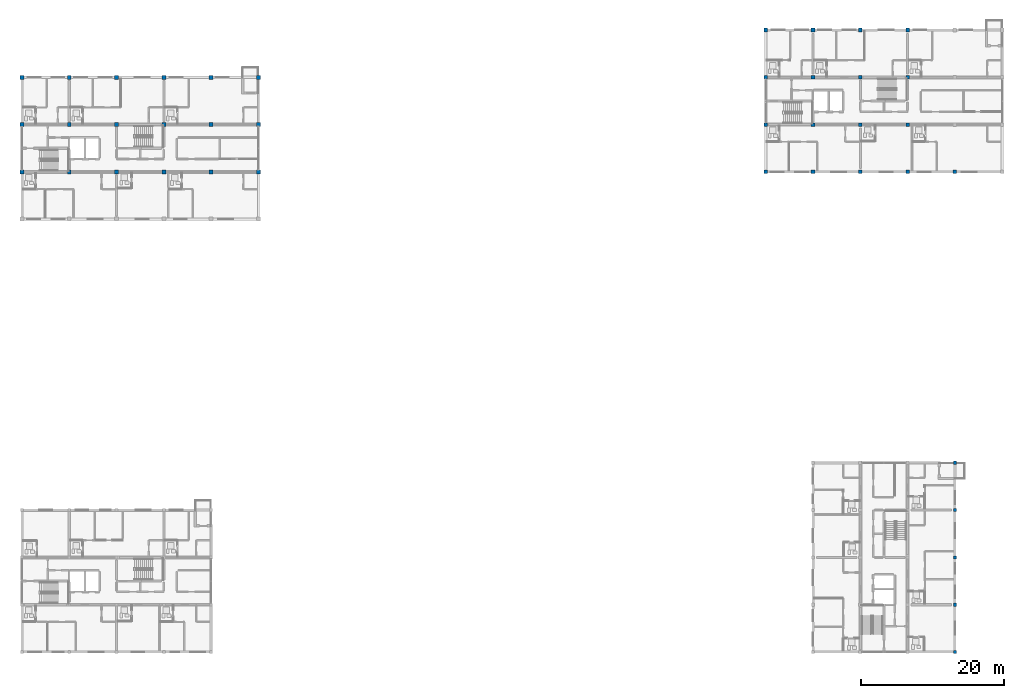
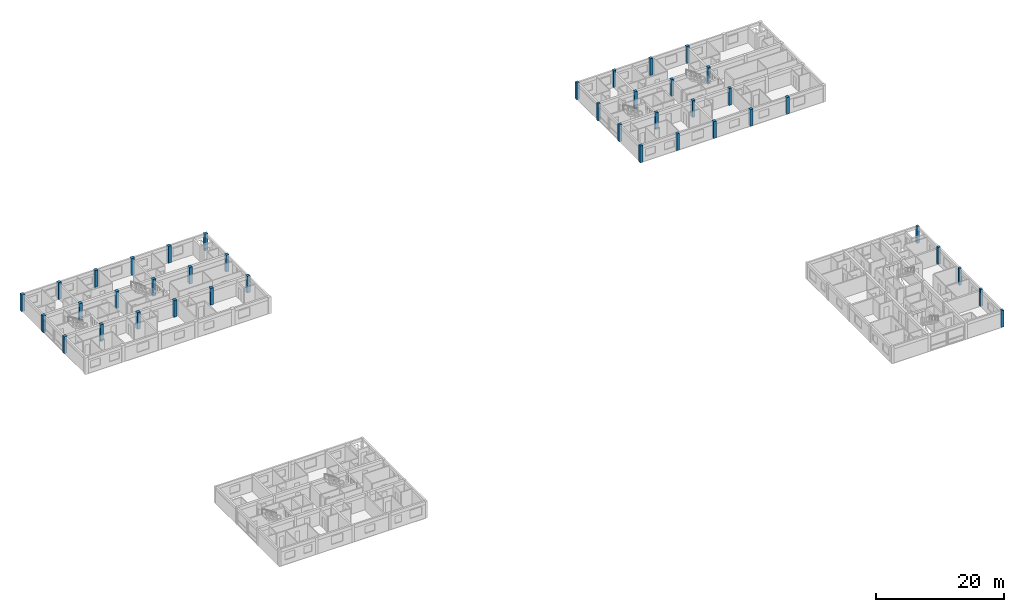
# One storey, part 2 of 45: 40 columns.
"""IFC4 building model written with IfcOpenShell, lengths in metres."""

from ifc_helpers import new_model, si_unit, direction, frame, origin, origin_2d, place, context, subcontext, project, spatial, rectangle, extrude, material, material_profile, profile_set, type_object, element, save


model = new_model("IFC4")

# Units and contexts
model_context = context("Model", 3, precision=1e-05, world=origin(), true_north=direction((0.0, 1.0)))
body_context = subcontext(model_context, "Body", "Model", "MODEL_VIEW")
ifc_project = project(units=[si_unit("LENGTHUNIT", "METRE"), si_unit("AREAUNIT", "SQUARE_METRE"), si_unit("VOLUMEUNIT", "CUBIC_METRE"), si_unit("PLANEANGLEUNIT", "RADIAN"), si_unit("MASSUNIT", "GRAM", prefix="KILO")], contexts=[model_context])

# Site, building, storey
site_placement = place(None, origin())
site = spatial("IfcSite", under=ifc_project, at=site_placement, CompositionType="ELEMENT")
building_placement = place(site_placement, origin())
building = spatial("IfcBuilding", under=site, at=building_placement, Name="Kernevlak Ridge Housing Community", CompositionType="ELEMENT")
storey_placement = place(building_placement, frame((0.0, 0.0, 21.199951171875)))
storey = spatial("IfcBuildingStorey", under=building, at=storey_placement, Name="L06", CompositionType="ELEMENT", Elevation=21.199951171875)

# Columns
ifc_material_1 = material(Name="Concrete C40/50", Category="concrete")
ifc_material_profile_1 = material_profile(ifc_material_1, rectangle(XDim=0.550048828125, YDim=0.550048828125, at=origin_2d()), Name="RC 550x550")
ifc_profile_set_1 = profile_set([ifc_material_profile_1], Name="Concrete C40/50")
column_type_1 = type_object("IfcColumnType", Name="C-02", PredefinedType="COLUMN", material=ifc_profile_set_1)
for number, where, z_axis, x_axis, name in (
    (1, (15.60009765625, 82.60009765625, 0.0), (0.0, 0.0, 1.0), (1.0, 0.0, 0.0), "Column C-02 COL-A-L06-00-1"),
    (2, (15.60009765625, 89.199951171875, 0.0), (0.0, 0.0, 1.0), (1.0, 0.0, 0.0), "Column C-02 COL-A-L06-00-2"),
    (3, (15.60009765625, 95.800048828125, 0.0), (0.0, 0.0, 1.0), (1.0, 0.0, 0.0), "Column C-02 COL-A-L06-00-3"),
    (4, (22.199951171875, 82.60009765625, 0.0), (0.0, 0.0, 1.0), (1.0, 0.0, 0.0), "Column C-02 COL-A-L06-01-1"),
    (5, (22.199951171875, 89.199951171875, 0.0), (0.0, 0.0, 1.0), (1.0, 0.0, 0.0), "Column C-02 COL-A-L06-01-2"),
    (6, (22.199951171875, 95.800048828125, 0.0), (0.0, 0.0, 1.0), (1.0, 0.0, 0.0), "Column C-02 COL-A-L06-01-3"),
    (7, (28.800048828125, 82.60009765625, 0.0), (0.0, 0.0, 1.0), (1.0, 0.0, 0.0), "Column C-02 COL-A-L06-02-1"),
    (8, (28.800048828125, 89.199951171875, 0.0), (0.0, 0.0, 1.0), (1.0, 0.0, 0.0), "Column C-02 COL-A-L06-02-2"),
    (9, (28.800048828125, 95.800048828125, 0.0), (0.0, 0.0, 1.0), (1.0, 0.0, 0.0), "Column C-02 COL-A-L06-02-3"),
    (10, (35.39990234375, 82.60009765625, 0.0), (0.0, 0.0, 1.0), (1.0, 0.0, 0.0), "Column C-02 COL-A-L06-03-1"),
    (11, (35.39990234375, 89.199951171875, 0.0), (0.0, 0.0, 1.0), (1.0, 0.0, 0.0), "Column C-02 COL-A-L06-03-2"),
    (12, (35.39990234375, 95.800048828125, 0.0), (0.0, 0.0, 1.0), (1.0, 0.0, 0.0), "Column C-02 COL-A-L06-03-3"),
    (13, (42.0, 82.60009765625, 0.0), (0.0, 0.0, 1.0), (1.0, 0.0, 0.0), "Column C-02 COL-A-L06-04-1"),
    (14, (42.0, 89.199951171875, 0.0), (0.0, 0.0, 1.0), (1.0, 0.0, 0.0), "Column C-02 COL-A-L06-04-2"),
    (15, (42.0, 95.800048828125, 0.0), (0.0, 0.0, 1.0), (1.0, 0.0, 0.0), "Column C-02 COL-A-L06-04-3"),
    (16, (48.60009765625, 82.60009765625, 0.0), (0.0, 0.0, 1.0), (1.0, 0.0, 0.0), "Column C-02 COL-A-L06-05-1"),
    (17, (48.60009765625, 89.199951171875, 0.0), (0.0, 0.0, 1.0), (1.0, 0.0, 0.0), "Column C-02 COL-A-L06-05-2"),
    (18, (48.60009765625, 95.800048828125, 0.0), (0.0, 0.0, 1.0), (1.0, 0.0, 0.0), "Column C-02 COL-A-L06-05-3"),
):
    element("IfcColumn", number, at=place(storey_placement, frame(where, z_axis=z_axis, x_axis=x_axis)), inside=storey, type_object=column_type_1, Name=name, PredefinedType="COLUMN", context=body_context, shape_type="SweptSolid", body=[
        extrude(rectangle(XDim=0.550048828125, YDim=0.550048828125, at=origin_2d()), origin(), (0.0, 0.0, 1.0), 3.199951171875),
    ])
ifc_material_profile_2 = material_profile(ifc_material_1, rectangle(XDim=0.5, YDim=0.5, at=origin_2d()), Name="RC 500x500")
ifc_profile_set_2 = profile_set([ifc_material_profile_2], Name="Concrete C40/50")
column_type_2 = type_object("IfcColumnType", Name="C-03", PredefinedType="COLUMN", material=ifc_profile_set_2)
for number, where, z_axis, x_axis, name in (
    (19, (119.39990234375, 82.60009765625, 0.0), (0.0, 0.0, 1.0), (1.0, 0.0, 0.0), "Column C-03 COL-B-L06-00-0"),
    (20, (119.39990234375, 89.199951171875, 0.0), (0.0, 0.0, 1.0), (1.0, 0.0, 0.0), "Column C-03 COL-B-L06-00-1"),
    (21, (119.39990234375, 95.800048828125, 0.0), (0.0, 0.0, 1.0), (1.0, 0.0, 0.0), "Column C-03 COL-B-L06-00-2"),
    (22, (119.39990234375, 102.39990234375, 0.0), (0.0, 0.0, 1.0), (1.0, 0.0, 0.0), "Column C-03 COL-B-L06-00-3"),
    (23, (126.0, 82.60009765625, 0.0), (0.0, 0.0, 1.0), (1.0, 0.0, 0.0), "Column C-03 COL-B-L06-01-0"),
    (24, (126.0, 89.199951171875, 0.0), (0.0, 0.0, 1.0), (1.0, 0.0, 0.0), "Column C-03 COL-B-L06-01-1"),
    (25, (126.0, 95.800048828125, 0.0), (0.0, 0.0, 1.0), (1.0, 0.0, 0.0), "Column C-03 COL-B-L06-01-2"),
    (26, (126.0, 102.39990234375, 0.0), (0.0, 0.0, 1.0), (1.0, 0.0, 0.0), "Column C-03 COL-B-L06-01-3"),
    (27, (132.60009765625, 82.60009765625, 0.0), (0.0, 0.0, 1.0), (1.0, 0.0, 0.0), "Column C-03 COL-B-L06-02-0"),
    (28, (132.60009765625, 89.199951171875, 0.0), (0.0, 0.0, 1.0), (1.0, 0.0, 0.0), "Column C-03 COL-B-L06-02-1"),
    (29, (132.60009765625, 95.800048828125, 0.0), (0.0, 0.0, 1.0), (1.0, 0.0, 0.0), "Column C-03 COL-B-L06-02-2"),
    (30, (132.60009765625, 102.39990234375, 0.0), (0.0, 0.0, 1.0), (1.0, 0.0, 0.0), "Column C-03 COL-B-L06-02-3"),
    (31, (139.199951171875, 82.60009765625, 0.0), (0.0, 0.0, 1.0), (1.0, 0.0, 0.0), "Column C-03 COL-B-L06-03-0"),
    (32, (139.199951171875, 89.199951171875, 0.0), (0.0, 0.0, 1.0), (1.0, 0.0, 0.0), "Column C-03 COL-B-L06-03-1"),
    (33, (139.199951171875, 95.800048828125, 0.0), (0.0, 0.0, 1.0), (1.0, 0.0, 0.0), "Column C-03 COL-B-L06-03-2"),
    (34, (139.199951171875, 102.39990234375, 0.0), (0.0, 0.0, 1.0), (1.0, 0.0, 0.0), "Column C-03 COL-B-L06-03-3"),
    (35, (145.800048828125, 82.60009765625, 0.0), (0.0, 0.0, 1.0), (1.0, 0.0, 0.0), "Column C-03 COL-B-L06-04-0"),
):
    element("IfcColumn", number, at=place(storey_placement, frame(where, z_axis=z_axis, x_axis=x_axis)), inside=storey, type_object=column_type_2, Name=name, PredefinedType="COLUMN", context=body_context, shape_type="SweptSolid", body=[
        extrude(rectangle(XDim=0.5, YDim=0.5, at=origin_2d()), origin(), (0.0, 0.0, 1.0), 3.199951171875),
    ])
ifc_material_2 = material(Name="Concrete C35/45", Category="concrete")
ifc_material_profile_3 = material_profile(ifc_material_2, rectangle(XDim=0.449951171875, YDim=0.449951171875, at=origin_2d()), Name="RC 450x450")
ifc_profile_set_3 = profile_set([ifc_material_profile_3], Name="Concrete C35/45")
column_type_3 = type_object("IfcColumnType", Name="C-04", PredefinedType="COLUMN", material=ifc_profile_set_3)
for number, where, z_axis, x_axis, name in (
    (36, (145.800048828125, 15.60009765625, 0.0), (0.0, 0.0, 1.0), (1.0, 0.0, 0.0), "Column C-04 COL-C-L06-00-3"),
    (37, (145.800048828125, 22.199951171875, 0.0), (0.0, 0.0, 1.0), (1.0, 0.0, 0.0), "Column C-04 COL-C-L06-01-3"),
    (38, (145.800048828125, 28.800048828125, 0.0), (0.0, 0.0, 1.0), (1.0, 0.0, 0.0), "Column C-04 COL-C-L06-02-3"),
    (39, (145.800048828125, 35.39990234375, 0.0), (0.0, 0.0, 1.0), (1.0, 0.0, 0.0), "Column C-04 COL-C-L06-03-3"),
    (40, (145.800048828125, 42.0, 0.0), (0.0, 0.0, 1.0), (1.0, 0.0, 0.0), "Column C-04 COL-C-L06-04-3"),
):
    element("IfcColumn", number, at=place(storey_placement, frame(where, z_axis=z_axis, x_axis=x_axis)), inside=storey, type_object=column_type_3, Name=name, PredefinedType="COLUMN", context=body_context, shape_type="SweptSolid", body=[
        extrude(rectangle(XDim=0.449951171875, YDim=0.449951171875, at=origin_2d()), origin(), (0.0, 0.0, 1.0), 3.199951171875),
    ])

save(model, "model.ifc")
